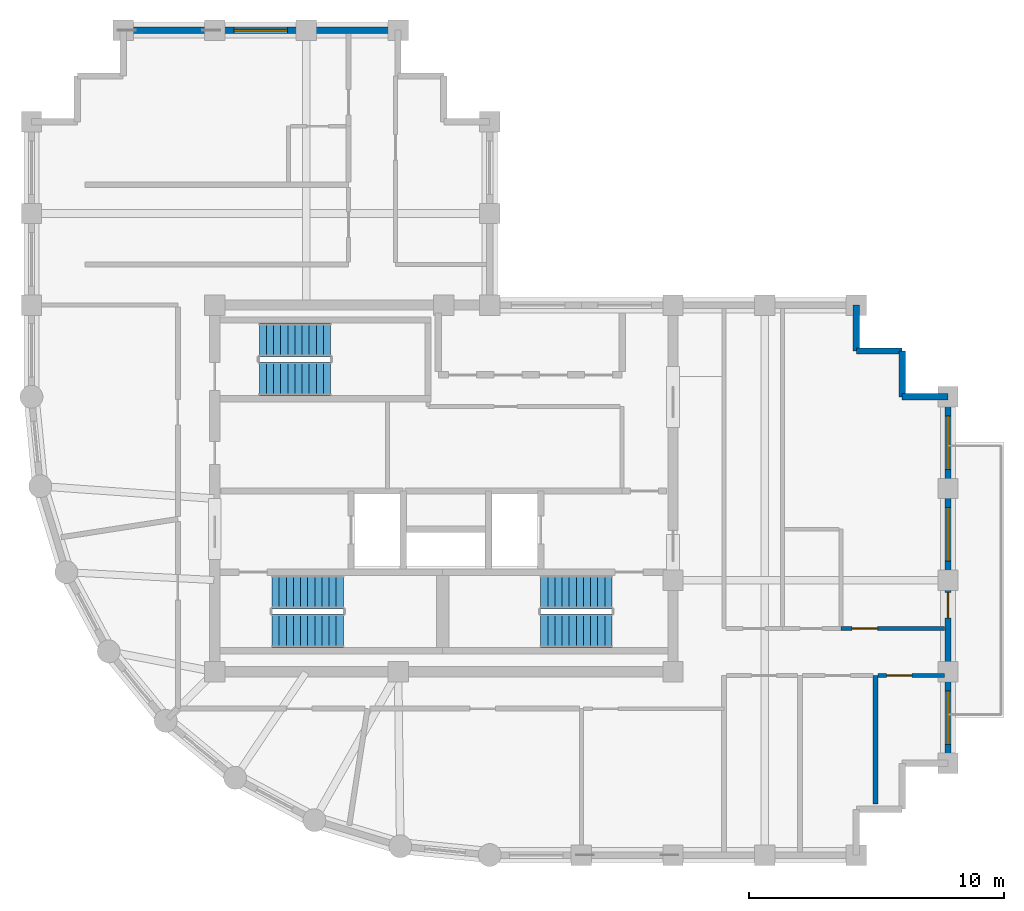
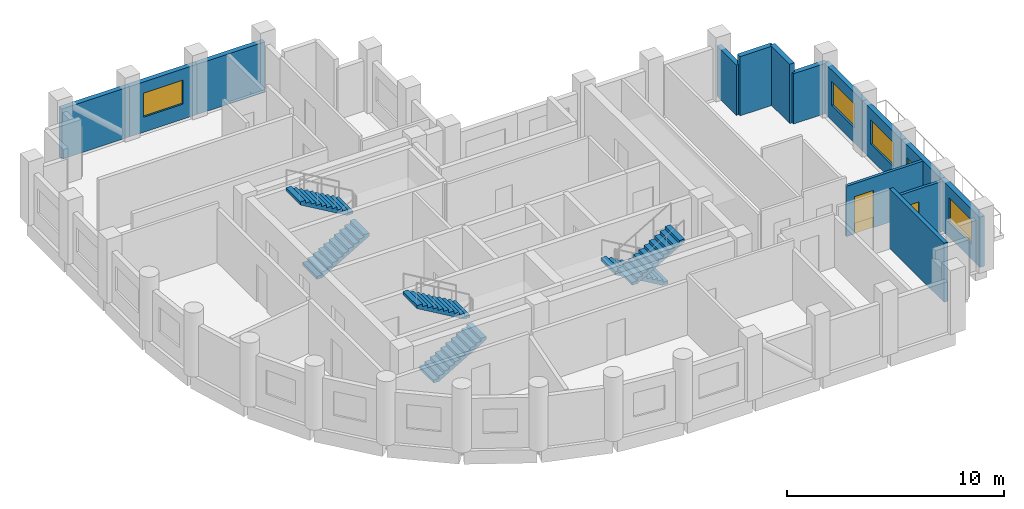
# One storey, part 5 of 6: 14 walls, 6 stair flights, 4 windows, 3 doors, 7 openings, 3 elements without a shape of their own.
"""IFC4 building model written with IfcOpenShell, lengths in metres."""

from ifc_helpers import new_model, si_unit, direction, frame, frame_2d, origin, place, context, subcontext, project, spatial, polyline, rectangle, outline, extrude, material, layer, layer_set, type_object, element, fill, aggregate, save


model = new_model("IFC4")

# Units and contexts
model_context = context("Model", 3, precision=1e-05, world=origin(), true_north=direction((0.0, 1.0)))
body_context = subcontext(model_context, "Body", "Model", "MODEL_VIEW")
ifc_project = project(units=[si_unit("LENGTHUNIT", "METRE"), si_unit("AREAUNIT", "SQUARE_METRE"), si_unit("VOLUMEUNIT", "CUBIC_METRE"), si_unit("PLANEANGLEUNIT", "RADIAN"), si_unit("MASSUNIT", "GRAM", prefix="KILO")], contexts=[model_context])

# Site, building, storey
site_placement = place(None, origin())
site = spatial("IfcSite", under=ifc_project, at=site_placement, CompositionType="ELEMENT")
building_placement = place(site_placement, origin())
building = spatial("IfcBuilding", under=site, at=building_placement, Name="Solnavia Interchange Tower", CompositionType="ELEMENT")
storey_placement = place(building_placement, frame((0.0, 0.0, 224.60009765625)))
storey = spatial("IfcBuildingStorey", under=building, at=storey_placement, Name="L56", CompositionType="ELEMENT", Elevation=224.60009765625)

# Wall
ifc_material_1 = material(Name="Gypsum Acoustic Twin-Stud & Mineral Wool", Category="gypsum")
ifc_layer_1 = layer(ifc_material_1, 0.199951171875)
ifc_layer_set_1 = layer_set([ifc_layer_1], Name="Gypsum Acoustic Twin-Stud & Mineral Wool")
wall_type_1 = type_object("IfcWallType", Name="Wall-ApartmentParty-200", PredefinedType="PARTITIONING", material=ifc_layer_set_1)
wall_1_placement = place(storey_placement, frame((40.35009765625, 5.60498046875, 0.0), z_axis=(0.0, 0.0, 1.0), x_axis=(0.0, 1.0, 0.0)))
element("IfcWall", 1, at=wall_1_placement, inside=storey, type_object=wall_type_1, Name="PTW-L56-20 Interior partition wall", PredefinedType="PARTITIONING", context=body_context, shape_type="SweptSolid", body=[
    extrude(rectangle(XDim=5.044921875, YDim=0.199951171875, at=frame_2d((2.5224609375, 0.0))), origin(), (0.0, 0.0, 1.0), 3.3349609375),
])

# Wall, opening, window
ifc_material_2 = material(Name="Concrete C40/50", Category="concrete")
ifc_layer_2 = layer(ifc_material_2, 0.25)
ifc_layer_set_2 = layer_set([ifc_layer_2], Name="Concrete C40/50")
wall_type_2 = type_object("IfcWallType", Name="Wall-ExtSpandrel-250", PredefinedType="STANDARD", material=ifc_layer_set_2)
wall_2_placement = place(storey_placement, frame((43.199951171875, 10.800048828125, 0.0), z_axis=(0.0, 0.0, 1.0), x_axis=(0.0, -1.0, 0.0)))
wall_2 = element("IfcWall", 2, at=wall_2_placement, inside=storey, type_object=wall_type_2, Name="EXW-L56-09 Exterior precast spandrel wall", PredefinedType="STANDARD", context=body_context, shape_type="SweptSolid", body=[
    extrude(rectangle(XDim=3.60009765625, YDim=0.25, at=frame_2d((1.800048828125, 0.0))), origin(), (0.0, 0.0, 1.0), 2.829833984375),
])
opening_1_placement = place(wall_2_placement, frame((0.75, 0.0, 0.85009765625)))
opening_1 = element("IfcOpeningElement", 3, at=opening_1_placement, cuts=wall_2, Name="Opening WIN-01", PredefinedType="OPENING", context=body_context, shape_type="SweptSolid", body=[
    extrude(rectangle(XDim=2.10009765625, YDim=1.35009765625, at=frame_2d((1.050048828125, 0.675048828125))), frame((0.0, 0.135009765625, 0.0), z_axis=(0.0, -1.0, 0.0), x_axis=(1.0, 0.0, 0.0)), (0.0, 0.0, 1.0), 0.27001953125),
])
ifc_material_3 = material(Name="Thermal-Break Aluminium & Low-E Glass", Category="aluminium")
window_type = type_object("IfcWindowType", Name="Window-Ribbon-2100x1350", PartitioningType="SINGLE_PANEL", PredefinedType="WINDOW", material=ifc_material_3)
window_1_placement = place(opening_1_placement, origin())
window_1 = element("IfcWindow", 4, at=window_1_placement, inside=storey, type_object=window_type, Name="WIN-L56-09 Facade ribbon window", OverallHeight=1.35009765625, OverallWidth=2.10009765625, PartitioningType="SINGLE_PANEL", PredefinedType="WINDOW", context=body_context, shape_type="SweptSolid", body=[
    extrude(rectangle(XDim=2.10009765625, YDim=1.35009765625, at=frame_2d((1.050048828125, 0.675048828125))), frame((0.0, 0.030029296875, 0.0), z_axis=(0.0, -1.0, 0.0), x_axis=(1.0, 0.0, 0.0)), (0.0, 0.0, 1.0), 0.06005859375),
])
fill(opening_1, window_1)

# Wall, opening, door
wall_3_placement = place(storey_placement, frame((43.199951171875, 14.39990234375, 0.0), z_axis=(0.0, 0.0, 1.0), x_axis=(0.0, -1.0, 0.0)))
wall_3 = element("IfcWall", 5, at=wall_3_placement, inside=storey, type_object=wall_type_2, Name="EXW-L56-10 Exterior precast spandrel wall", PredefinedType="STANDARD", context=body_context, shape_type="SweptSolid", body=[
    extrude(rectangle(XDim=3.599853515625, YDim=0.25, at=frame_2d((1.7998046875, 0.0))), origin(), (0.0, 0.0, 1.0), 2.829833984375),
])
opening_2_placement = place(wall_3_placement, frame((0.490966796875, 0.0, 0.0)))
opening_2 = element("IfcOpeningElement", 6, at=opening_2_placement, cuts=wall_3, Name="Opening EXD-05", PredefinedType="OPENING", context=body_context, shape_type="SweptSolid", body=[
    extrude(rectangle(XDim=1.0, YDim=2.10009765625, at=frame_2d((0.5, 1.050048828125))), frame((0.0, 0.135009765625, 0.0), z_axis=(0.0, -1.0, 0.0), x_axis=(1.0, 0.0, 0.0)), (0.0, 0.0, 1.0), 0.27001953125),
])
ifc_material_4 = material(Name="Thermally Broken Aluminium & Laminated Glass", Category="aluminium")
door_type_1 = type_object("IfcDoorType", Name="Door-TerraceSingle-1000x2100", OperationType="SINGLE_SWING_LEFT", PredefinedType="DOOR", material=ifc_material_4)
door_1_placement = place(opening_2_placement, origin())
door_1 = element("IfcDoor", 7, at=door_1_placement, inside=storey, type_object=door_type_1, Name="EXD-L56-TER Spiral terrace glazed door", OperationType="SINGLE_SWING_LEFT", OverallHeight=2.10009765625, OverallWidth=1.0, PredefinedType="DOOR", context=body_context, shape_type="SweptSolid", body=[
    extrude(rectangle(XDim=1.0, YDim=2.10009765625, at=frame_2d((0.5, 1.050048828125))), frame((0.0, 0.02490234375, 0.0), z_axis=(0.0, -1.0, 0.0), x_axis=(1.0, 0.0, 0.0)), (0.0, 0.0, 1.0), 0.050048828125),
])
fill(opening_2, door_1)

# Wall, opening, window
wall_4_placement = place(storey_placement, frame((43.199951171875, 18.0, 0.0), z_axis=(0.0, 0.0, 1.0), x_axis=(0.0, -1.0, 0.0)))
wall_4 = element("IfcWall", 8, at=wall_4_placement, inside=storey, type_object=wall_type_2, Name="EXW-L56-11 Exterior precast spandrel wall", PredefinedType="STANDARD", context=body_context, shape_type="SweptSolid", body=[
    extrude(rectangle(XDim=3.60009765625, YDim=0.25, at=frame_2d((1.800048828125, 0.0))), origin(), (0.0, 0.0, 1.0), 2.829833984375),
])
opening_3_placement = place(wall_4_placement, frame((0.75, 0.0, 0.85009765625)))
opening_3 = element("IfcOpeningElement", 9, at=opening_3_placement, cuts=wall_4, Name="Opening WIN-01", PredefinedType="OPENING", context=body_context, shape_type="SweptSolid", body=[
    extrude(rectangle(XDim=2.10009765625, YDim=1.35009765625, at=frame_2d((1.050048828125, 0.675048828125))), frame((0.0, 0.135009765625, 0.0), z_axis=(0.0, -1.0, 0.0), x_axis=(1.0, 0.0, 0.0)), (0.0, 0.0, 1.0), 0.27001953125),
])
window_2_placement = place(opening_3_placement, origin())
window_2 = element("IfcWindow", 10, at=window_2_placement, inside=storey, type_object=window_type, Name="WIN-L56-11 Facade ribbon window", OverallHeight=1.35009765625, OverallWidth=2.10009765625, PartitioningType="SINGLE_PANEL", PredefinedType="WINDOW", context=body_context, shape_type="SweptSolid", body=[
    extrude(rectangle(XDim=2.10009765625, YDim=1.35009765625, at=frame_2d((1.050048828125, 0.675048828125))), frame((0.0, 0.030029296875, 0.0), z_axis=(0.0, -1.0, 0.0), x_axis=(1.0, 0.0, 0.0)), (0.0, 0.0, 1.0), 0.06005859375),
])
fill(opening_3, window_2)

wall_5_placement = place(storey_placement, frame((43.199951171875, 21.60009765625, 0.0), z_axis=(0.0, 0.0, 1.0), x_axis=(0.0, -1.0, 0.0)))
wall_5 = element("IfcWall", 11, at=wall_5_placement, inside=storey, type_object=wall_type_2, Name="EXW-L56-12 Exterior precast spandrel wall", PredefinedType="STANDARD", context=body_context, shape_type="SweptSolid", body=[
    extrude(rectangle(XDim=3.60009765625, YDim=0.25, at=frame_2d((1.800048828125, 0.0))), origin(), (0.0, 0.0, 1.0), 2.829833984375),
])
opening_4_placement = place(wall_5_placement, frame((0.75, 0.0, 0.85009765625)))
opening_4 = element("IfcOpeningElement", 12, at=opening_4_placement, cuts=wall_5, Name="Opening WIN-01", PredefinedType="OPENING", context=body_context, shape_type="SweptSolid", body=[
    extrude(rectangle(XDim=2.10009765625, YDim=1.35009765625, at=frame_2d((1.050048828125, 0.675048828125))), frame((0.0, 0.135009765625, 0.0), z_axis=(0.0, -1.0, 0.0), x_axis=(1.0, 0.0, 0.0)), (0.0, 0.0, 1.0), 0.27001953125),
])
window_3_placement = place(opening_4_placement, origin())
window_3 = element("IfcWindow", 13, at=window_3_placement, inside=storey, type_object=window_type, Name="WIN-L56-12 Facade ribbon window", OverallHeight=1.35009765625, OverallWidth=2.10009765625, PartitioningType="SINGLE_PANEL", PredefinedType="WINDOW", context=body_context, shape_type="SweptSolid", body=[
    extrude(rectangle(XDim=2.10009765625, YDim=1.35009765625, at=frame_2d((1.050048828125, 0.675048828125))), frame((0.0, 0.030029296875, 0.0), z_axis=(0.0, -1.0, 0.0), x_axis=(1.0, 0.0, 0.0)), (0.0, 0.0, 1.0), 0.06005859375),
])
fill(opening_4, window_3)

# Walls
wall_6_placement = place(storey_placement, frame((41.39990234375, 21.60009765625, 0.0), z_axis=(0.0, 0.0, 1.0), x_axis=(1.0, 0.0, 0.0)))
element("IfcWall", 14, at=wall_6_placement, inside=storey, type_object=wall_type_2, Name="EXW-L56-13 Exterior precast spandrel wall", PredefinedType="STANDARD", context=body_context, shape_type="SweptSolid", body=[
    extrude(rectangle(XDim=1.800048828125, YDim=0.25, at=frame_2d((0.89990234375, 0.0))), origin(), (0.0, 0.0, 1.0), 2.829833984375),
])
for number, where, z_axis, x_axis, name in (
    (15, (41.39990234375, 23.39990234375, 0.0), (0.0, 0.0, 1.0), (0.0, -1.0, 0.0), "EXW-L56-14 Exterior precast spandrel wall"),
    (16, (39.60009765625, 23.39990234375, 0.0), (0.0, 0.0, 1.0), (1.0, 0.0, 0.0), "EXW-L56-15 Exterior precast spandrel wall"),
):
    element("IfcWall", number, at=place(storey_placement, frame(where, z_axis=z_axis, x_axis=x_axis)), inside=storey, type_object=wall_type_2, Name=name, PredefinedType="STANDARD", context=body_context, shape_type="SweptSolid", body=[
        extrude(rectangle(XDim=1.7998046875, YDim=0.25, at=frame_2d((0.89990234375, 0.0))), origin(), (0.0, 0.0, 1.0), 3.3349609375),
    ])
wall_7_placement = place(storey_placement, frame((39.60009765625, 25.199951171875, 0.0), z_axis=(0.0, 0.0, 1.0), x_axis=(0.0, -1.0, 0.0)))
element("IfcWall", 17, at=wall_7_placement, inside=storey, type_object=wall_type_2, Name="EXW-L56-16 Exterior precast spandrel wall", PredefinedType="STANDARD", context=body_context, shape_type="SweptSolid", body=[
    extrude(rectangle(XDim=1.800048828125, YDim=0.25, at=frame_2d((0.89990234375, 0.0))), origin(), (0.0, 0.0, 1.0), 2.829833984375),
])
wall_8_placement = place(storey_placement, frame((18.0, 36.0, 0.0), z_axis=(0.0, 0.0, 1.0), x_axis=(1.0, 0.0, 0.0)))
element("IfcWall", 18, at=wall_8_placement, inside=storey, type_object=wall_type_2, Name="EXW-L56-27 Exterior precast spandrel wall", PredefinedType="STANDARD", context=body_context, shape_type="SweptSolid", body=[
    extrude(rectangle(XDim=3.60009765625, YDim=0.25, at=frame_2d((1.800048828125, 0.0))), origin(), (0.0, 0.0, 1.0), 2.829833984375),
])

# Wall, opening, window
wall_9_placement = place(storey_placement, frame((14.39990234375, 36.0, 0.0), z_axis=(0.0, 0.0, 1.0), x_axis=(1.0, 0.0, 0.0)))
wall_9 = element("IfcWall", 19, at=wall_9_placement, inside=storey, type_object=wall_type_2, Name="EXW-L56-28 Exterior precast spandrel wall", PredefinedType="STANDARD", context=body_context, shape_type="SweptSolid", body=[
    extrude(rectangle(XDim=3.60009765625, YDim=0.25, at=frame_2d((1.800048828125, 0.0))), origin(), (0.0, 0.0, 1.0), 2.829833984375),
])
opening_5_placement = place(wall_9_placement, frame((0.75, 0.0, 0.85009765625)))
opening_5 = element("IfcOpeningElement", 20, at=opening_5_placement, cuts=wall_9, Name="Opening WIN-01", PredefinedType="OPENING", context=body_context, shape_type="SweptSolid", body=[
    extrude(rectangle(XDim=2.10009765625, YDim=1.35009765625, at=frame_2d((1.050048828125, 0.675048828125))), frame((0.0, 0.135009765625, 0.0), z_axis=(0.0, -1.0, 0.0), x_axis=(1.0, 0.0, 0.0)), (0.0, 0.0, 1.0), 0.27001953125),
])
window_4_placement = place(opening_5_placement, origin())
window_4 = element("IfcWindow", 21, at=window_4_placement, inside=storey, type_object=window_type, Name="WIN-L56-28 Facade ribbon window", OverallHeight=1.35009765625, OverallWidth=2.10009765625, PartitioningType="SINGLE_PANEL", PredefinedType="WINDOW", context=body_context, shape_type="SweptSolid", body=[
    extrude(rectangle(XDim=2.10009765625, YDim=1.35009765625, at=frame_2d((1.050048828125, 0.675048828125))), frame((0.0, 0.030029296875, 0.0), z_axis=(0.0, -1.0, 0.0), x_axis=(1.0, 0.0, 0.0)), (0.0, 0.0, 1.0), 0.06005859375),
])
fill(opening_5, window_4)

# Wall
wall_10_placement = place(storey_placement, frame((10.800048828125, 36.0, 0.0), z_axis=(0.0, 0.0, 1.0), x_axis=(1.0, 0.0, 0.0)))
element("IfcWall", 22, at=wall_10_placement, inside=storey, type_object=wall_type_2, Name="EXW-L56-29 Exterior precast spandrel wall", PredefinedType="STANDARD", context=body_context, shape_type="SweptSolid", body=[
    extrude(rectangle(XDim=3.599853515625, YDim=0.25, at=frame_2d((1.7998046875, 0.0))), origin(), (0.0, 0.0, 1.0), 2.829833984375),
])

# Wall, opening, door
ifc_material_5 = material(Name="Gypsum Plasterboard & Steel Stud", Category="steel")
ifc_layer_3 = layer(ifc_material_5, 0.14990234375)
ifc_layer_set_3 = layer_set([ifc_layer_3], Name="Gypsum Plasterboard & Steel Stud")
wall_type_3 = type_object("IfcWallType", Name="Wall-Partition-150", PredefinedType="PARTITIONING", material=ifc_layer_set_3)
wall_11_placement = place(storey_placement, frame((40.4541015625, 10.64990234375, 0.0), z_axis=(0.0, 0.0, 1.0), x_axis=(1.0, 0.0, 0.0)))
wall_11 = element("IfcWall", 23, at=wall_11_placement, inside=storey, type_object=wall_type_3, Name="PTW-L56-22 Interior partition wall", PredefinedType="PARTITIONING", context=body_context, shape_type="SweptSolid", body=[
    extrude(rectangle(XDim=2.616943359375, YDim=0.14990234375, at=frame_2d((1.30859375, 0.0))), origin(), (0.0, 0.0, 1.0), 2.829833984375),
])
opening_6_placement = place(wall_11_placement, frame((0.3310546875, 0.0, 0.0)))
opening_6 = element("IfcOpeningElement", 24, at=opening_6_placement, cuts=wall_11, Name="Opening DR-07", PredefinedType="OPENING", context=body_context, shape_type="SweptSolid", body=[
    extrude(rectangle(XDim=1.0, YDim=2.10009765625, at=frame_2d((0.5, 1.050048828125))), frame((0.0, 0.0849609375, 0.0), z_axis=(0.0, -1.0, 0.0), x_axis=(1.0, 0.0, 0.0)), (0.0, 0.0, 1.0), 0.169921875),
])
ifc_material_6 = material(Name="Timber & Acoustic Glazed Office Door", Category="wood")
door_type_2 = type_object("IfcDoorType", Name="Door-Office-1000x2100", OperationType="SINGLE_SWING_RIGHT", PredefinedType="DOOR", material=ifc_material_6)
door_2_placement = place(opening_6_placement, origin())
door_2 = element("IfcDoor", 25, at=door_2_placement, inside=storey, type_object=door_type_2, Name="DR-L56-10 Interior room door", OperationType="SINGLE_SWING_LEFT", OverallHeight=2.10009765625, OverallWidth=1.0, PredefinedType="DOOR", context=body_context, shape_type="SweptSolid", body=[
    extrude(rectangle(XDim=1.0, YDim=2.10009765625, at=frame_2d((0.5, 1.050048828125))), frame((0.0, 0.02490234375, 0.0), z_axis=(0.0, -1.0, 0.0), x_axis=(1.0, 0.0, 0.0)), (0.0, 0.0, 1.0), 0.050048828125),
])
fill(opening_6, door_2)

wall_12_placement = place(storey_placement, frame((39.0, 12.5, 0.0), z_axis=(0.0, 0.0, 1.0), x_axis=(1.0, 0.0, 0.0)))
wall_12 = element("IfcWall", 26, at=wall_12_placement, inside=storey, type_object=wall_type_3, Name="PTW-L56-23 Interior partition wall", PredefinedType="PARTITIONING", context=body_context, shape_type="SweptSolid", body=[
    extrude(rectangle(XDim=4.071044921875, YDim=0.14990234375, at=frame_2d((2.03564453125, 0.0))), origin(), (0.0, 0.0, 1.0), 2.829833984375),
])
opening_7_placement = place(wall_12_placement, frame((0.43798828125, 0.0, 0.0)))
opening_7 = element("IfcOpeningElement", 27, at=opening_7_placement, cuts=wall_12, Name="Opening DR-07", PredefinedType="OPENING", context=body_context, shape_type="SweptSolid", body=[
    extrude(rectangle(XDim=1.0, YDim=2.10009765625, at=frame_2d((0.5, 1.050048828125))), frame((0.0, 0.0849609375, 0.0), z_axis=(0.0, -1.0, 0.0), x_axis=(1.0, 0.0, 0.0)), (0.0, 0.0, 1.0), 0.169921875),
])
door_3_placement = place(opening_7_placement, origin())
door_3 = element("IfcDoor", 28, at=door_3_placement, inside=storey, type_object=door_type_2, Name="DR-L56-11 Interior room door", OperationType="SINGLE_SWING_RIGHT", OverallHeight=2.10009765625, OverallWidth=1.0, PredefinedType="DOOR", context=body_context, shape_type="SweptSolid", body=[
    extrude(rectangle(XDim=1.0, YDim=2.10009765625, at=frame_2d((0.5, 1.050048828125))), frame((0.0, 0.02490234375, 0.0), z_axis=(0.0, -1.0, 0.0), x_axis=(1.0, 0.0, 0.0)), (0.0, 0.0, 1.0), 0.050048828125),
])
fill(opening_7, door_3)

# Stair, stair flights
stair_type = type_object("IfcStairType", Name="Stair-Dogleg-RC", PredefinedType="HALF_TURN_STAIR", material=ifc_material_2)
stair_1_placement = place(storey_placement, origin())
stair_1 = element("IfcStair", 29, at=stair_1_placement, inside=storey, type_object=stair_type, Name="L56 Core exit stair 1", PredefinedType="HALF_TURN_STAIR")
stair_flight_type = type_object("IfcStairFlightType", Name="StairFlight-RC-150", PredefinedType="STRAIGHT", material=ifc_material_2)
stair_flight_1_placement = place(storey_placement, frame((16.64990234375, 12.409912109375, 0.0), z_axis=(0.0, 0.0, 1.0), x_axis=(1.0, 0.0, 0.0)))
stair_flight_1 = element("IfcStairFlight", 30, at=stair_flight_1_placement, type_object=stair_flight_type, Name="ST-1 flight 1", NumberOfRisers=11, NumberOfTreads=10, PredefinedType="STRAIGHT", RiserHeight=0.163636364, TreadLength=0.28, context=body_context, shape_type="SweptSolid", body=[
    extrude(outline(polyline([(0.0, 0.0), (0.0, 0.16357421875), (0.280029296875, 0.16357421875), (0.280029296875, 0.327392578125), (0.56005859375, 0.327392578125), (0.56005859375, 0.490966796875), (0.840087890625, 0.490966796875), (0.840087890625, 0.654541015625), (1.1201171875, 0.654541015625), (1.1201171875, 0.818115234375), (1.39990234375, 0.818115234375), (1.39990234375, 0.98193359375), (1.679931640625, 0.98193359375), (1.679931640625, 1.1455078125), (1.9599609375, 1.1455078125), (1.9599609375, 1.30908203125), (2.239990234375, 1.30908203125), (2.239990234375, 1.47265625), (2.52001953125, 1.47265625), (2.52001953125, 1.636474609375), (2.800048828125, 1.636474609375), (2.800048828125, 1.800048828125), (2.800048828125, 1.462646484375), (0.297119140625, 0.0), (0.0, 0.0)])), frame((0.0, 0.66015625, 0.0), z_axis=(0.0, -1.0, 0.0), x_axis=(1.0, 0.0, 0.0)), (0.0, 0.0, 1.0), 1.320068359375),
])
stair_flight_2_placement = place(storey_placement, frame((19.449951171875, 13.929931640625, 1.7998046875), z_axis=(0.0, 0.0, 1.0), x_axis=(-1.0, 0.0, 0.0)))
stair_flight_2 = element("IfcStairFlight", 31, at=stair_flight_2_placement, type_object=stair_flight_type, Name="ST-1 flight 2", NumberOfRisers=11, NumberOfTreads=10, PredefinedType="STRAIGHT", RiserHeight=0.163636364, TreadLength=0.28, context=body_context, shape_type="SweptSolid", body=[
    extrude(outline(polyline([(0.0, 0.0), (0.0, 0.16357421875), (0.280029296875, 0.16357421875), (0.280029296875, 0.327392578125), (0.56005859375, 0.327392578125), (0.56005859375, 0.490966796875), (0.840087890625, 0.490966796875), (0.840087890625, 0.654541015625), (1.1201171875, 0.654541015625), (1.1201171875, 0.818115234375), (1.39990234375, 0.818115234375), (1.39990234375, 0.98193359375), (1.679931640625, 0.98193359375), (1.679931640625, 1.1455078125), (1.9599609375, 1.1455078125), (1.9599609375, 1.30908203125), (2.239990234375, 1.30908203125), (2.239990234375, 1.47265625), (2.52001953125, 1.47265625), (2.52001953125, 1.636474609375), (2.800048828125, 1.636474609375), (2.800048828125, 1.800048828125), (2.800048828125, 1.462646484375), (0.297119140625, 0.0), (0.0, 0.0)])), frame((0.0, 0.66015625, 0.0), z_axis=(0.0, -1.0, 0.0), x_axis=(1.0, 0.0, 0.0)), (0.0, 0.0, 1.0), 1.320068359375),
])
aggregate(stair_1, [stair_flight_1, stair_flight_2])

stair_2_placement = place(storey_placement, origin())
stair_2 = element("IfcStair", 32, at=stair_2_placement, inside=storey, type_object=stair_type, Name="L56 Core exit stair 2", PredefinedType="HALF_TURN_STAIR")
stair_flight_3_placement = place(storey_placement, frame((30.0, 13.929931640625, 0.0), z_axis=(0.0, 0.0, 1.0), x_axis=(-1.0, 0.0, 0.0)))
stair_flight_3 = element("IfcStairFlight", 33, at=stair_flight_3_placement, type_object=stair_flight_type, Name="ST-2 flight 1", NumberOfRisers=11, NumberOfTreads=10, PredefinedType="STRAIGHT", RiserHeight=0.163636364, TreadLength=0.28, context=body_context, shape_type="SweptSolid", body=[
    extrude(outline(polyline([(0.0, 0.0), (0.0, 0.16357421875), (0.280029296875, 0.16357421875), (0.280029296875, 0.327392578125), (0.56005859375, 0.327392578125), (0.56005859375, 0.490966796875), (0.840087890625, 0.490966796875), (0.840087890625, 0.654541015625), (1.1201171875, 0.654541015625), (1.1201171875, 0.818115234375), (1.39990234375, 0.818115234375), (1.39990234375, 0.98193359375), (1.679931640625, 0.98193359375), (1.679931640625, 1.1455078125), (1.9599609375, 1.1455078125), (1.9599609375, 1.30908203125), (2.239990234375, 1.30908203125), (2.239990234375, 1.47265625), (2.52001953125, 1.47265625), (2.52001953125, 1.636474609375), (2.800048828125, 1.636474609375), (2.800048828125, 1.800048828125), (2.800048828125, 1.462646484375), (0.297119140625, 0.0), (0.0, 0.0)])), frame((0.0, 0.66015625, 0.0), z_axis=(0.0, -1.0, 0.0), x_axis=(1.0, 0.0, 0.0)), (0.0, 0.0, 1.0), 1.320068359375),
])
stair_flight_4_placement = place(storey_placement, frame((27.199951171875, 12.409912109375, 1.7998046875), z_axis=(0.0, 0.0, 1.0), x_axis=(1.0, 0.0, 0.0)))
stair_flight_4 = element("IfcStairFlight", 34, at=stair_flight_4_placement, type_object=stair_flight_type, Name="ST-2 flight 2", NumberOfRisers=11, NumberOfTreads=10, PredefinedType="STRAIGHT", RiserHeight=0.163636364, TreadLength=0.28, context=body_context, shape_type="SweptSolid", body=[
    extrude(outline(polyline([(0.0, 0.0), (0.0, 0.16357421875), (0.280029296875, 0.16357421875), (0.280029296875, 0.327392578125), (0.56005859375, 0.327392578125), (0.56005859375, 0.490966796875), (0.840087890625, 0.490966796875), (0.840087890625, 0.654541015625), (1.1201171875, 0.654541015625), (1.1201171875, 0.818115234375), (1.39990234375, 0.818115234375), (1.39990234375, 0.98193359375), (1.679931640625, 0.98193359375), (1.679931640625, 1.1455078125), (1.9599609375, 1.1455078125), (1.9599609375, 1.30908203125), (2.239990234375, 1.30908203125), (2.239990234375, 1.47265625), (2.52001953125, 1.47265625), (2.52001953125, 1.636474609375), (2.800048828125, 1.636474609375), (2.800048828125, 1.800048828125), (2.800048828125, 1.462646484375), (0.297119140625, 0.0), (0.0, 0.0)])), frame((0.0, 0.66015625, 0.0), z_axis=(0.0, -1.0, 0.0), x_axis=(1.0, 0.0, 0.0)), (0.0, 0.0, 1.0), 1.320068359375),
])
aggregate(stair_2, [stair_flight_3, stair_flight_4])

stair_3_placement = place(storey_placement, origin())
stair_3 = element("IfcStair", 35, at=stair_3_placement, inside=storey, type_object=stair_type, Name="L56 Core exit stair 3", PredefinedType="HALF_TURN_STAIR")
stair_flight_5_placement = place(storey_placement, frame((16.14990234375, 22.31005859375, 0.0), z_axis=(0.0, 0.0, 1.0), x_axis=(1.0, 0.0, 0.0)))
stair_flight_5 = element("IfcStairFlight", 36, at=stair_flight_5_placement, type_object=stair_flight_type, Name="ST-3 flight 1", NumberOfRisers=11, NumberOfTreads=10, PredefinedType="STRAIGHT", RiserHeight=0.163636364, TreadLength=0.28, context=body_context, shape_type="SweptSolid", body=[
    extrude(outline(polyline([(0.0, 0.0), (0.0, 0.16357421875), (0.280029296875, 0.16357421875), (0.280029296875, 0.327392578125), (0.56005859375, 0.327392578125), (0.56005859375, 0.490966796875), (0.840087890625, 0.490966796875), (0.840087890625, 0.654541015625), (1.1201171875, 0.654541015625), (1.1201171875, 0.818115234375), (1.39990234375, 0.818115234375), (1.39990234375, 0.98193359375), (1.679931640625, 0.98193359375), (1.679931640625, 1.1455078125), (1.9599609375, 1.1455078125), (1.9599609375, 1.30908203125), (2.239990234375, 1.30908203125), (2.239990234375, 1.47265625), (2.52001953125, 1.47265625), (2.52001953125, 1.636474609375), (2.800048828125, 1.636474609375), (2.800048828125, 1.800048828125), (2.800048828125, 1.462646484375), (0.297119140625, 0.0), (0.0, 0.0)])), frame((0.0, 0.66015625, 0.0), z_axis=(0.0, -1.0, 0.0), x_axis=(1.0, 0.0, 0.0)), (0.0, 0.0, 1.0), 1.320068359375),
])
stair_flight_6_placement = place(storey_placement, frame((18.949951171875, 23.830078125, 1.7998046875), z_axis=(0.0, 0.0, 1.0), x_axis=(-1.0, 0.0, 0.0)))
stair_flight_6 = element("IfcStairFlight", 37, at=stair_flight_6_placement, type_object=stair_flight_type, Name="ST-3 flight 2", NumberOfRisers=11, NumberOfTreads=10, PredefinedType="STRAIGHT", RiserHeight=0.163636364, TreadLength=0.28, context=body_context, shape_type="SweptSolid", body=[
    extrude(outline(polyline([(0.0, 0.0), (0.0, 0.16357421875), (0.280029296875, 0.16357421875), (0.280029296875, 0.327392578125), (0.56005859375, 0.327392578125), (0.56005859375, 0.490966796875), (0.840087890625, 0.490966796875), (0.840087890625, 0.654541015625), (1.1201171875, 0.654541015625), (1.1201171875, 0.818115234375), (1.39990234375, 0.818115234375), (1.39990234375, 0.98193359375), (1.679931640625, 0.98193359375), (1.679931640625, 1.1455078125), (1.9599609375, 1.1455078125), (1.9599609375, 1.30908203125), (2.239990234375, 1.30908203125), (2.239990234375, 1.47265625), (2.52001953125, 1.47265625), (2.52001953125, 1.636474609375), (2.800048828125, 1.636474609375), (2.800048828125, 1.800048828125), (2.800048828125, 1.462646484375), (0.297119140625, 0.0), (0.0, 0.0)])), frame((0.0, 0.66015625, 0.0), z_axis=(0.0, -1.0, 0.0), x_axis=(1.0, 0.0, 0.0)), (0.0, 0.0, 1.0), 1.320068359375),
])
aggregate(stair_3, [stair_flight_5, stair_flight_6])

save(model, "model.ifc")
